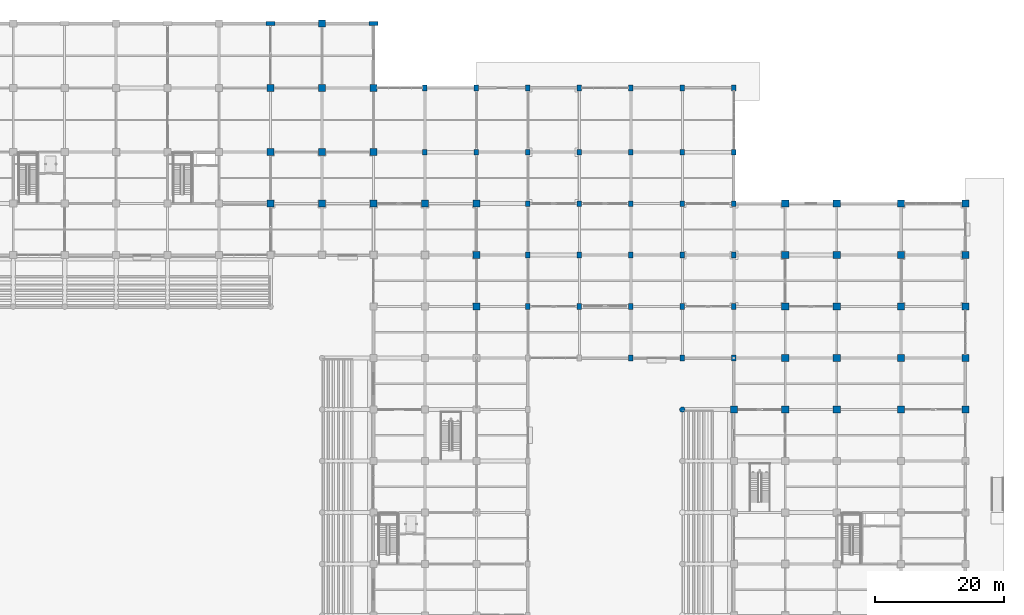
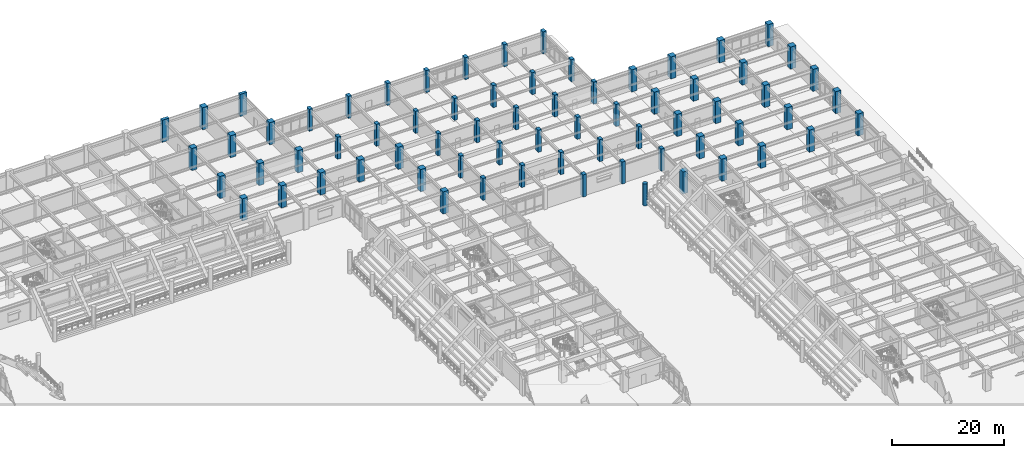
# One storey, part 21 of 125: 70 columns.
"""IFC4 building model written with IfcOpenShell, lengths in metres."""

import ifcopenshell
import ifcopenshell.guid

model = None  # the IFC model being written
_history = None  # IfcOwnerHistory: only IFC2X3 demands one
_inside = {}  # id of a spatial element -> (the spatial element, [elements in it])
_under = {}  # id of a project, library or spatial element -> (it, [spatial elements below it])
_declared = {}  # id of a project -> (the project, [libraries it declares])
_typed = {}  # id of a type object -> (the type object, [elements of that type])
_made_of = {}  # id of a material, layer set ... -> (it, [elements and type objects made of it])


def new_model(schema):
    """Start an empty IFC model of exactly this schema.

    Asked for "IFC4X3", IfcOpenShell would pick the latest addendum, in which some entities
    have other attributes; the version numbers below select the first issue.
    IFC2X3 requires an IfcOwnerHistory on every rooted entity: one is made here for all.
    """
    global model, _history
    if schema == "IFC4X3":
        model = ifcopenshell.file(schema_version=(4, 3, 0, 0))
    else:
        model = ifcopenshell.file(schema=schema)
    _inside.clear()
    _under.clear()
    _declared.clear()
    _typed.clear()
    _made_of.clear()
    _history = None
    if model.schema == "IFC2X3":
        org = make("IfcOrganization", Name="unknown")
        user = make(
            "IfcPersonAndOrganization",
            ThePerson=make("IfcPerson", FamilyName="unknown"),
            TheOrganization=org,
        )
        app = make(
            "IfcApplication",
            ApplicationDeveloper=org,
            Version="unknown",
            ApplicationFullName="unknown",
            ApplicationIdentifier="unknown",
        )
        _history = make(
            "IfcOwnerHistory",
            OwningUser=user,
            OwningApplication=app,
            ChangeAction="ADDED",
            CreationDate=0,
        )
    return model


def make(cls, **values):
    """One entity of the class cls with the attributes given. An attribute that is None is left unset."""
    return model.create_entity(
        cls, **{name: value for name, value in values.items() if value is not None}
    )


def rooted(cls, **values):
    """An entity with a GlobalId (a new one), such as an element, a storey or a relation."""
    return make(cls, GlobalId=ifcopenshell.guid.new(), OwnerHistory=_history, **values)


def si_unit(unit_type, name, prefix=None):
    """IfcSIUnit, for example si_unit("LENGTHUNIT", "METRE", prefix="MILLI")."""
    return make("IfcSIUnit", UnitType=unit_type, Prefix=prefix, Name=name)


def assignment(units):
    """IfcUnitAssignment: the units of a project."""
    return None if units is None else make("IfcUnitAssignment", Units=units)


def point(xyz):
    """IfcCartesianPoint."""
    return None if xyz is None else make("IfcCartesianPoint", Coordinates=xyz)


def direction(xyz):
    """IfcDirection."""
    return None if xyz is None else make("IfcDirection", DirectionRatios=xyz)


def frame(location, z_axis=None, x_axis=None):
    """IfcAxis2Placement3D, a coordinate frame: its origin and axes. An axis left out is left unset."""
    return make(
        "IfcAxis2Placement3D",
        Location=point(location),
        Axis=direction(z_axis),
        RefDirection=direction(x_axis),
    )


def frame_2d(location, x_axis=None):
    """IfcAxis2Placement2D, a coordinate frame in the plane: its origin and x axis."""
    return make(
        "IfcAxis2Placement2D", Location=point(location), RefDirection=direction(x_axis)
    )


def origin():
    """The frame at (0, 0, 0) with its axes left unset."""
    return frame((0.0, 0.0, 0.0))


def origin_2d():
    """The frame at (0, 0) in the plane with its x axis left unset."""
    return frame_2d((0.0, 0.0))


def place(relative_to, where):
    """IfcLocalPlacement: puts the frame where relative to a parent placement (None: the world)."""
    return make(
        "IfcLocalPlacement", PlacementRelTo=relative_to, RelativePlacement=where
    )


def context(
    kind, dimensions, precision=None, world=None, true_north=None, identifier=None
):
    """IfcGeometricRepresentationContext, for example the 3D "Model" context."""
    return make(
        "IfcGeometricRepresentationContext",
        ContextIdentifier=identifier,
        ContextType=kind,
        CoordinateSpaceDimension=dimensions,
        Precision=precision,
        WorldCoordinateSystem=world,
        TrueNorth=true_north,
    )


def subcontext(parent, identifier, kind, view, scale=None):
    """IfcGeometricRepresentationSubContext, for example "Body" below "Model"."""
    return make(
        "IfcGeometricRepresentationSubContext",
        ContextIdentifier=identifier,
        ContextType=kind,
        ParentContext=parent,
        TargetScale=scale,
        TargetView=view,
    )


def project(units=None, contexts=None):
    """IfcProject with its units and contexts."""
    return rooted(
        "IfcProject",
        Name="project",
        RepresentationContexts=contexts,
        UnitsInContext=assignment(units),
    )


def spatial(cls, under=None, at=None, **own):
    """A site, building, storey or space (cls), placed at a placement, below another one or the project."""
    s = rooted(cls, ObjectPlacement=at, **own)
    if under is not None:
        _under.setdefault(under.id(), (under, []))[1].append(s)
    return s


def profile(cls, at=None, kind="AREA", **sizes):
    """A parametric profile (cls). Its sizes go by their IFC names, for example OverallWidth=200.0."""
    return make(cls, ProfileType=kind, Position=at, **sizes)


def rectangle(**sizes):
    """IfcRectangleProfileDef."""
    return profile("IfcRectangleProfileDef", **sizes)


def circle(**sizes):
    """IfcCircleProfileDef."""
    return profile("IfcCircleProfileDef", **sizes)


def extrude(swept, where, along, depth):
    """IfcExtrudedAreaSolid: the profile swept, set in the frame where, extruded along a direction by depth."""
    return make(
        "IfcExtrudedAreaSolid",
        SweptArea=swept,
        Position=where,
        ExtrudedDirection=direction(along),
        Depth=depth,
    )


def shape(context_of_items, identifier, shape_type, items):
    """IfcShapeRepresentation: the items that make up one representation, for example the "Body"."""
    return make(
        "IfcShapeRepresentation",
        ContextOfItems=context_of_items,
        RepresentationIdentifier=identifier,
        RepresentationType=shape_type,
        Items=items,
    )


def material(Name=None, Category=None):
    """IfcMaterial."""
    return make("IfcMaterial", Name=Name, Category=Category)


def material_profile(
    of_material, cross_section, Name=None, Category=None, Priority=None
):
    """IfcMaterialProfile: a cross section and its material."""
    return make(
        "IfcMaterialProfile",
        Name=Name,
        Material=of_material,
        Profile=cross_section,
        Priority=Priority,
        Category=Category,
    )


def profile_set(profiles, Name=None, composite=None):
    """IfcMaterialProfileSet."""
    return make(
        "IfcMaterialProfileSet",
        Name=Name,
        MaterialProfiles=profiles,
        CompositeProfile=composite,
    )


def made_of(thing, what):
    """Note that an element or type object is made of a material, layer set ...; save() writes the relation."""
    if what is not None:
        _made_of.setdefault(what.id(), (what, []))[1].append(thing)
    return thing


def type_object(cls, material=None, **own):
    """A type object (cls), such as IfcWallType, which elements share."""
    return made_of(rooted(cls, **own), material)


def element(
    cls,
    number,
    at=None,
    inside=None,
    cuts=None,
    type_object=None,
    material=None,
    context=None,
    identifier="Body",
    shape_type=None,
    held_by="IfcProductDefinitionShape",
    body=None,
    shapes=None,
    **own,
):
    """One element of the class cls, such as IfcWall. Its Tag is "e" and its number.

    at: its placement. inside: the storey or other place that contains it. cuts: it is an
    opening in that element (IfcRelVoidsElement). A single representation is given by context,
    identifier, shape_type and body (its items); several are given by shapes. held_by: the class
    of the entity that holds the representations. save() writes the other relations.
    """
    e = rooted(cls, Tag="e%d" % number, ObjectPlacement=at, **own)
    if body is not None:
        shapes = [shape(context, identifier, shape_type, body)]
    if shapes is not None:
        e.Representation = make(held_by, Representations=shapes)
    if inside is not None:
        _inside.setdefault(inside.id(), (inside, []))[1].append(e)
    if cuts is not None:
        rooted(
            "IfcRelVoidsElement", RelatingBuildingElement=cuts, RelatedOpeningElement=e
        )
    if type_object is not None:
        _typed.setdefault(type_object.id(), (type_object, []))[1].append(e)
    return made_of(e, material)


def aggregate(whole, parts):
    """IfcRelAggregates: a whole, such as a stair, and the parts it consists of."""
    return rooted("IfcRelAggregates", RelatingObject=whole, RelatedObjects=parts)


def save(model, path):
    """Write the relations noted so far, then the file.

    IfcRelAggregates (storeys below a building ...), IfcRelContainedInSpatialStructure (elements
    in a storey), IfcRelDefinesByType, IfcRelAssociatesMaterial and IfcRelDeclares: one each for
    every whole, place, type object, material and project.
    """
    for whole, parts in _under.values():
        aggregate(whole, parts)
    for where, things in _inside.values():
        rooted(
            "IfcRelContainedInSpatialStructure",
            RelatedElements=things,
            RelatingStructure=where,
        )
    for kind, things in _typed.values():
        rooted("IfcRelDefinesByType", RelatedObjects=things, RelatingType=kind)
    for what, things in _made_of.values():
        rooted("IfcRelAssociatesMaterial", RelatedObjects=things, RelatingMaterial=what)
    for by, libraries in _declared.values():
        rooted("IfcRelDeclares", RelatingContext=by, RelatedDefinitions=libraries)
    model.write(path)


model = new_model("IFC4")

# Units and contexts
model_context = context("Model", 3, precision=1e-05, world=origin(), true_north=direction((0.0, 1.0)))
body_context = subcontext(model_context, "Body", "Model", "MODEL_VIEW")
ifc_project = project(units=[si_unit("LENGTHUNIT", "METRE"), si_unit("AREAUNIT", "SQUARE_METRE"), si_unit("VOLUMEUNIT", "CUBIC_METRE"), si_unit("PLANEANGLEUNIT", "RADIAN"), si_unit("MASSUNIT", "GRAM", prefix="KILO")], contexts=[model_context])

# Site, building, storey
site_placement = place(None, origin())
site = spatial("IfcSite", under=ifc_project, at=site_placement, CompositionType="ELEMENT")
building_placement = place(site_placement, origin())
building = spatial("IfcBuilding", under=site, at=building_placement, Name="Haebicheon Civic Stadium", CompositionType="ELEMENT")
storey_placement = place(building_placement, origin())
storey = spatial("IfcBuildingStorey", under=building, at=storey_placement, Name="L01", CompositionType="ELEMENT", Elevation=0.0)

# Columns
ifc_material_1 = material(Name="Concrete C40/50", Category="concrete")
ifc_material_profile_1 = material_profile(ifc_material_1, rectangle(XDim=1.10009765625, YDim=1.10009765625, at=origin_2d()), Name="RC-COL-1100x1100")
ifc_profile_set_1 = profile_set([ifc_material_profile_1], Name="Concrete C40/50")
column_type_1 = type_object("IfcColumnType", Name="COL-RC-1100", PredefinedType="COLUMN", material=ifc_profile_set_1)
for number, where, z_axis, x_axis, name in (
    (1, (128.0, 160.0, 0.0), (0.0, 0.0, 1.0), (1.0, 0.0, 0.0), "L01 column 17/W"),
    (2, (128.0, 168.0, 0.0), (0.0, 0.0, 1.0), (1.0, 0.0, 0.0), "L01 column 17/X"),
    (3, (128.0, 178.0, 0.0), (0.0, 0.0, 1.0), (1.0, 0.0, 0.0), "L01 column 17/Y"),
    (4, (136.0, 160.0, 0.0), (0.0, 0.0, 1.0), (1.0, 0.0, 0.0), "L01 column 18/W"),
    (5, (136.0, 168.0, 0.0), (0.0, 0.0, 1.0), (1.0, 0.0, 0.0), "L01 column 18/X"),
    (6, (136.0, 178.0, 0.0), (0.0, 0.0, 1.0), (1.0, 0.0, 0.0), "L01 column 18/Y"),
    (7, (136.0, 188.0, 0.0), (0.0, 0.0, 1.0), (1.0, 0.0, 0.0), "L01 column 18/Z"),
    (8, (144.0, 160.0, 0.0), (0.0, 0.0, 1.0), (1.0, 0.0, 0.0), "L01 column 19/W"),
    (9, (144.0, 168.0, 0.0), (0.0, 0.0, 1.0), (1.0, 0.0, 0.0), "L01 column 19/X"),
    (10, (144.0, 178.0, 0.0), (0.0, 0.0, 1.0), (1.0, 0.0, 0.0), "L01 column 19/Y"),
    (11, (152.0, 160.0, 0.0), (0.0, 0.0, 1.0), (1.0, 0.0, 0.0), "L01 column 20/W"),
    (12, (160.0, 144.0, 0.0), (0.0, 0.0, 1.0), (1.0, 0.0, 0.0), "L01 column 21/U"),
    (13, (160.0, 152.0, 0.0), (0.0, 0.0, 1.0), (1.0, 0.0, 0.0), "L01 column 21/V"),
    (14, (160.0, 160.0, 0.0), (0.0, 0.0, 1.0), (1.0, 0.0, 0.0), "L01 column 21/W"),
    (15, (200.0, 128.0, 0.0), (0.0, 0.0, 1.0), (1.0, 0.0, 0.0), "L01 column 26/S"),
    (16, (208.0, 128.0, 0.0), (0.0, 0.0, 1.0), (1.0, 0.0, 0.0), "L01 column 27/S"),
    (17, (208.0, 136.0, 0.0), (0.0, 0.0, 1.0), (1.0, 0.0, 0.0), "L01 column 27/T"),
    (18, (208.0, 144.0, 0.0), (0.0, 0.0, 1.0), (1.0, 0.0, 0.0), "L01 column 27/U"),
    (19, (208.0, 152.0, 0.0), (0.0, 0.0, 1.0), (1.0, 0.0, 0.0), "L01 column 27/V"),
    (20, (208.0, 160.0, 0.0), (0.0, 0.0, 1.0), (1.0, 0.0, 0.0), "L01 column 27/W"),
    (21, (216.0, 128.0, 0.0), (0.0, 0.0, 1.0), (1.0, 0.0, 0.0), "L01 column 28/S"),
    (22, (216.0, 136.0, 0.0), (0.0, 0.0, 1.0), (1.0, 0.0, 0.0), "L01 column 28/T"),
    (23, (216.0, 144.0, 0.0), (0.0, 0.0, 1.0), (1.0, 0.0, 0.0), "L01 column 28/U"),
    (24, (216.0, 152.0, 0.0), (0.0, 0.0, 1.0), (1.0, 0.0, 0.0), "L01 column 28/V"),
    (25, (216.0, 160.0, 0.0), (0.0, 0.0, 1.0), (1.0, 0.0, 0.0), "L01 column 28/W"),
    (26, (226.0, 128.0, 0.0), (0.0, 0.0, 1.0), (1.0, 0.0, 0.0), "L01 column 29/S"),
    (27, (226.0, 136.0, 0.0), (0.0, 0.0, 1.0), (1.0, 0.0, 0.0), "L01 column 29/T"),
    (28, (226.0, 144.0, 0.0), (0.0, 0.0, 1.0), (1.0, 0.0, 0.0), "L01 column 29/U"),
    (29, (226.0, 152.0, 0.0), (0.0, 0.0, 1.0), (1.0, 0.0, 0.0), "L01 column 29/V"),
    (30, (226.0, 160.0, 0.0), (0.0, 0.0, 1.0), (1.0, 0.0, 0.0), "L01 column 29/W"),
    (31, (236.0, 128.0, 0.0), (0.0, 0.0, 1.0), (1.0, 0.0, 0.0), "L01 column 30/S"),
    (32, (236.0, 136.0, 0.0), (0.0, 0.0, 1.0), (1.0, 0.0, 0.0), "L01 column 30/T"),
    (33, (236.0, 144.0, 0.0), (0.0, 0.0, 1.0), (1.0, 0.0, 0.0), "L01 column 30/U"),
    (34, (236.0, 152.0, 0.0), (0.0, 0.0, 1.0), (1.0, 0.0, 0.0), "L01 column 30/V"),
    (35, (236.0, 160.0, 0.0), (0.0, 0.0, 1.0), (1.0, 0.0, 0.0), "L01 column 30/W"),
):
    element("IfcColumn", number, at=place(storey_placement, frame(where, z_axis=z_axis, x_axis=x_axis)), inside=storey, type_object=column_type_1, material=ifc_profile_set_1, Name=name, PredefinedType="COLUMN", context=body_context, shape_type="SweptSolid", body=[
        extrude(rectangle(XDim=1.10009765625, YDim=1.10009765625, at=origin_2d()), origin(), (0.0, 0.0, 1.0), 4.800048828125),
    ])
ifc_material_2 = material(Name="Concrete C40/50", Category="concrete")
ifc_material_profile_2 = material_profile(ifc_material_2, rectangle(XDim=0.699951171875, YDim=0.89990234375, at=origin_2d()), Name="RC-COL-900x700")
ifc_profile_set_2 = profile_set([ifc_material_profile_2], Name="Concrete C40/50")
column_type_2 = type_object("IfcColumnType", Name="COL-RC-900x700", PredefinedType="COLUMN", material=ifc_profile_set_2)
for number, where, z_axis, x_axis, name in (
    (36, (152.0, 168.0, 0.0), (0.0, 0.0, 1.0), (1.0, 0.0, 0.0), "L01 column 20/X"),
    (37, (152.0, 178.0, 0.0), (0.0, 0.0, 1.0), (1.0, 0.0, 0.0), "L01 column 20/Y"),
    (38, (160.0, 168.0, 0.0), (0.0, 0.0, 1.0), (1.0, 0.0, 0.0), "L01 column 21/X"),
    (39, (160.0, 178.0, 0.0), (0.0, 0.0, 1.0), (1.0, 0.0, 0.0), "L01 column 21/Y"),
    (40, (168.0, 144.0, 0.0), (0.0, 0.0, 1.0), (1.0, 0.0, 0.0), "L01 column 22/U"),
    (41, (168.0, 152.0, 0.0), (0.0, 0.0, 1.0), (1.0, 0.0, 0.0), "L01 column 22/V"),
    (42, (168.0, 160.0, 0.0), (0.0, 0.0, 1.0), (1.0, 0.0, 0.0), "L01 column 22/W"),
    (43, (168.0, 168.0, 0.0), (0.0, 0.0, 1.0), (1.0, 0.0, 0.0), "L01 column 22/X"),
    (44, (168.0, 178.0, 0.0), (0.0, 0.0, 1.0), (1.0, 0.0, 0.0), "L01 column 22/Y"),
    (45, (176.0, 144.0, 0.0), (0.0, 0.0, 1.0), (1.0, 0.0, 0.0), "L01 column 23/U"),
    (46, (176.0, 152.0, 0.0), (0.0, 0.0, 1.0), (1.0, 0.0, 0.0), "L01 column 23/V"),
    (47, (176.0, 160.0, 0.0), (0.0, 0.0, 1.0), (1.0, 0.0, 0.0), "L01 column 23/W"),
    (48, (176.0, 168.0, 0.0), (0.0, 0.0, 1.0), (1.0, 0.0, 0.0), "L01 column 23/X"),
    (49, (176.0, 178.0, 0.0), (0.0, 0.0, 1.0), (1.0, 0.0, 0.0), "L01 column 23/Y"),
    (50, (184.0, 136.0, 0.0), (0.0, 0.0, 1.0), (1.0, 0.0, 0.0), "L01 column 24/T"),
    (51, (184.0, 144.0, 0.0), (0.0, 0.0, 1.0), (1.0, 0.0, 0.0), "L01 column 24/U"),
    (52, (184.0, 152.0, 0.0), (0.0, 0.0, 1.0), (1.0, 0.0, 0.0), "L01 column 24/V"),
    (53, (184.0, 160.0, 0.0), (0.0, 0.0, 1.0), (1.0, 0.0, 0.0), "L01 column 24/W"),
    (54, (184.0, 168.0, 0.0), (0.0, 0.0, 1.0), (1.0, 0.0, 0.0), "L01 column 24/X"),
    (55, (184.0, 178.0, 0.0), (0.0, 0.0, 1.0), (1.0, 0.0, 0.0), "L01 column 24/Y"),
    (56, (192.0, 136.0, 0.0), (0.0, 0.0, 1.0), (1.0, 0.0, 0.0), "L01 column 25/T"),
    (57, (192.0, 144.0, 0.0), (0.0, 0.0, 1.0), (1.0, 0.0, 0.0), "L01 column 25/U"),
    (58, (192.0, 152.0, 0.0), (0.0, 0.0, 1.0), (1.0, 0.0, 0.0), "L01 column 25/V"),
    (59, (192.0, 160.0, 0.0), (0.0, 0.0, 1.0), (1.0, 0.0, 0.0), "L01 column 25/W"),
    (60, (192.0, 168.0, 0.0), (0.0, 0.0, 1.0), (1.0, 0.0, 0.0), "L01 column 25/X"),
    (61, (192.0, 178.0, 0.0), (0.0, 0.0, 1.0), (1.0, 0.0, 0.0), "L01 column 25/Y"),
    (62, (200.0, 136.0, 0.0), (0.0, 0.0, 1.0), (1.0, 0.0, 0.0), "L01 column 26/T"),
    (63, (200.0, 144.0, 0.0), (0.0, 0.0, 1.0), (1.0, 0.0, 0.0), "L01 column 26/U"),
    (64, (200.0, 152.0, 0.0), (0.0, 0.0, 1.0), (1.0, 0.0, 0.0), "L01 column 26/V"),
    (65, (200.0, 160.0, 0.0), (0.0, 0.0, 1.0), (1.0, 0.0, 0.0), "L01 column 26/W"),
    (66, (200.0, 168.0, 0.0), (0.0, 0.0, 1.0), (1.0, 0.0, 0.0), "L01 column 26/X"),
    (67, (200.0, 178.0, 0.0), (0.0, 0.0, 1.0), (1.0, 0.0, 0.0), "L01 column 26/Y"),
):
    element("IfcColumn", number, at=place(storey_placement, frame(where, z_axis=z_axis, x_axis=x_axis)), inside=storey, type_object=column_type_2, material=ifc_profile_set_2, Name=name, PredefinedType="COLUMN", context=body_context, shape_type="SweptSolid", body=[
        extrude(rectangle(XDim=0.699951171875, YDim=0.89990234375, at=origin_2d()), origin(), (0.0, 0.0, 1.0), 4.800048828125),
    ])
ifc_material_3 = material(Name="Concrete C40/50", Category="concrete")
ifc_material_profile_3 = material_profile(ifc_material_3, circle(Radius=0.425048828125, at=origin_2d()), Name="RC-COL-D850")
ifc_profile_set_3 = profile_set([ifc_material_profile_3], Name="Concrete C40/50")
column_type_3 = type_object("IfcColumnType", Name="COL-RC-D850", PredefinedType="COLUMN", material=ifc_profile_set_3)
column_placement = place(storey_placement, frame((192.0, 128.0, 0.0), z_axis=(0.0, 0.0, 1.0), x_axis=(1.0, 0.0, 0.0)))
element("IfcColumn", 68, at=column_placement, inside=storey, type_object=column_type_3, material=ifc_profile_set_3, Name="Bowl/canopy support column 192/128 (L01)", PredefinedType="COLUMN", context=body_context, shape_type="SweptSolid", body=[
    extrude(circle(Radius=0.425048828125, at=origin_2d()), origin(), (0.0, 0.0, 1.0), 4.800048828125),
])
ifc_material_4 = material(Name="Concrete C40/50", Category="concrete")
ifc_material_profile_4 = material_profile(ifc_material_4, rectangle(XDim=0.60009765625, YDim=1.39990234375, at=origin_2d()), Name="RC-PIL-600x1400")
ifc_profile_set_4 = profile_set([ifc_material_profile_4], Name="Concrete C40/50")
column_type_4 = type_object("IfcColumnType", Name="PIL-RC-600x1400", PredefinedType="PILASTER", material=ifc_profile_set_4)
for number, where, z_axis, x_axis, name in (
    (69, (128.0, 188.0, 0.0), (0.0, 0.0, 1.0), (0.0, 1.0, 0.0), "L01 column 17/Z"),
    (70, (144.0, 188.0, 0.0), (0.0, 0.0, 1.0), (0.0, 1.0, 0.0), "L01 column 19/Z"),
):
    element("IfcColumn", number, at=place(storey_placement, frame(where, z_axis=z_axis, x_axis=x_axis)), inside=storey, type_object=column_type_4, material=ifc_profile_set_4, Name=name, PredefinedType="PILASTER", context=body_context, shape_type="SweptSolid", body=[
        extrude(rectangle(XDim=0.60009765625, YDim=1.39990234375, at=origin_2d()), origin(), (0.0, 0.0, 1.0), 4.800048828125),
    ])

save(model, "model.ifc")
